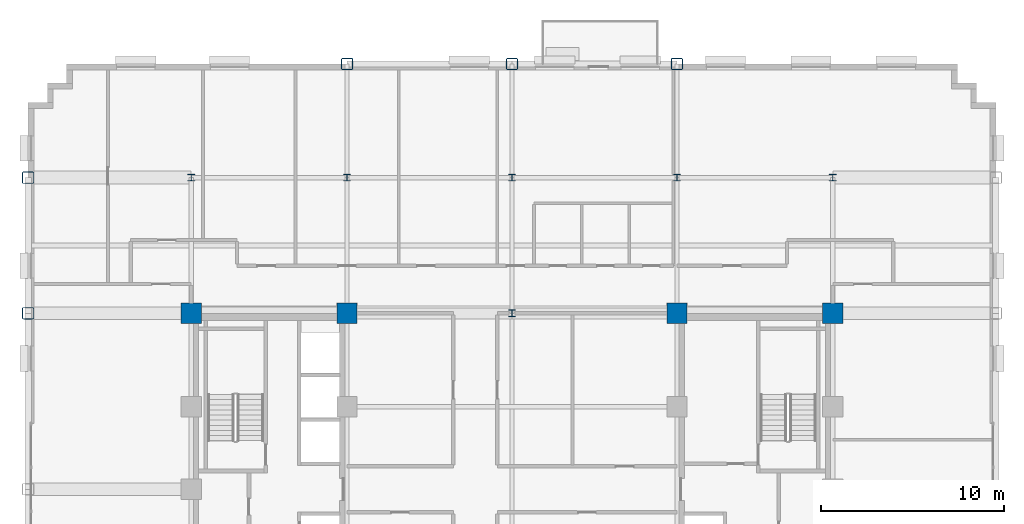
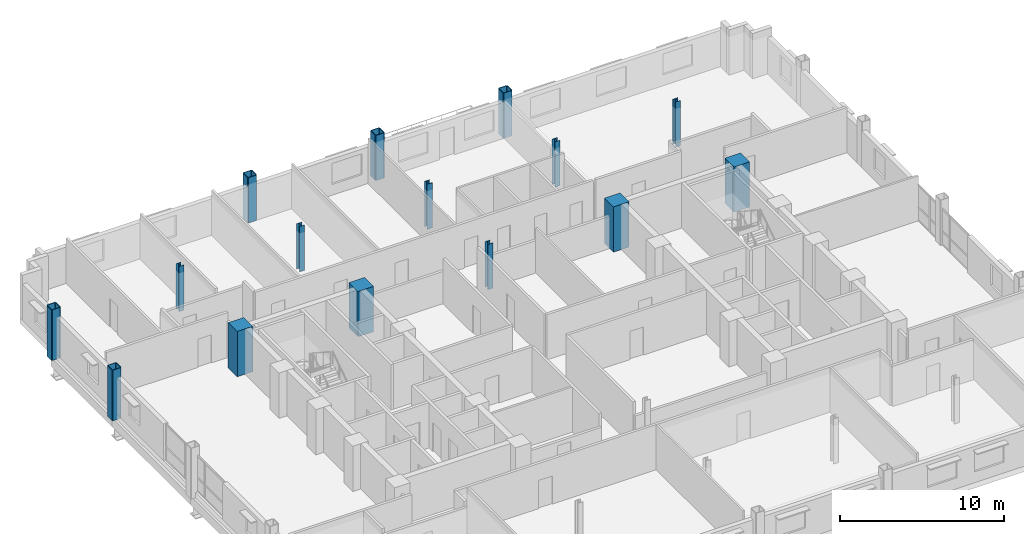
# One storey, part 3 of 16: 15 columns.
"""IFC4 building model written with IfcOpenShell, lengths in metres."""

from ifc_helpers import new_model, si_unit, direction, frame, origin, origin_2d, place, context, subcontext, project, spatial, rectangle, hollow_rectangle, i_section, extrude, material, material_profile, profile_set, type_object, element, save


model = new_model("IFC4")

# Units and contexts
model_context = context("Model", 3, precision=1e-05, world=origin(), true_north=direction((0.0, 1.0)))
body_context = subcontext(model_context, "Body", "Model", "MODEL_VIEW")
ifc_project = project(units=[si_unit("LENGTHUNIT", "METRE"), si_unit("AREAUNIT", "SQUARE_METRE"), si_unit("VOLUMEUNIT", "CUBIC_METRE"), si_unit("PLANEANGLEUNIT", "RADIAN"), si_unit("MASSUNIT", "GRAM", prefix="KILO")], contexts=[model_context])

# Site, building, storey
site_placement = place(None, origin())
site = spatial("IfcSite", under=ifc_project, at=site_placement, CompositionType="ELEMENT")
building_placement = place(site_placement, origin())
building = spatial("IfcBuilding", under=site, at=building_placement, Name="Nuvemarco Arch Tower", CompositionType="ELEMENT")
storey_placement = place(building_placement, frame((0.0, 0.0, 116.550048828125)))
storey = spatial("IfcBuildingStorey", under=building, at=storey_placement, Name="L30", CompositionType="ELEMENT", Elevation=116.550048828125)

# Columns
ifc_material_1 = material(Name="Concrete C60/75", Category="concrete")
ifc_material_profile_1 = material_profile(ifc_material_1, rectangle(XDim=1.10009765625, YDim=1.10009765625, at=origin_2d()), Name="RC-COL-1100x1100")
ifc_profile_set_1 = profile_set([ifc_material_profile_1], Name="Concrete C60/75")
column_type_1 = type_object("IfcColumnType", Name="COL-CORE-1100", PredefinedType="COLUMN", material=ifc_profile_set_1)
for number, where, z_axis, x_axis, name in (
    (1, (-17.5, 9.60009765625, 0.0), (0.0, 0.0, 1.0), (1.0, 0.0, 0.0), "L30 column CC_-17.5_+9.6"),
    (2, (-9.0, 9.60009765625, 0.0), (0.0, 0.0, 1.0), (1.0, 0.0, 0.0), "L30 column CC_-9.0_+9.6"),
    (3, (9.0, 9.60009765625, 0.0), (0.0, 0.0, 1.0), (1.0, 0.0, 0.0), "L30 column CC_+9.0_+9.6"),
    (4, (17.5, 9.60009765625, 0.0), (0.0, 0.0, 1.0), (1.0, 0.0, 0.0), "L30 column CC_+17.5_+9.6"),
):
    element("IfcColumn", number, at=place(storey_placement, frame(where, z_axis=z_axis, x_axis=x_axis)), inside=storey, type_object=column_type_1, Name=name, PredefinedType="COLUMN", context=body_context, shape_type="SweptSolid", body=[
        extrude(rectangle(XDim=1.10009765625, YDim=1.10009765625, at=origin_2d()), origin(), (0.0, 0.0, 1.0), 3.369873046875),
    ])
ifc_material_2 = material(Name="Steel S355", Category="steel")
ifc_material_profile_2 = material_profile(ifc_material_2, hollow_rectangle(XDim=0.64990234375, YDim=0.64990234375, WallThickness=0.0400390625, InnerFilletRadius=0.0400390625, OuterFilletRadius=0.080078125, at=origin_2d()), Name="SHS650x650x40")
ifc_profile_set_2 = profile_set([ifc_material_profile_2], Name="Steel S355")
column_type_2 = type_object("IfcColumnType", Name="COL-EXO-650", PredefinedType="COLUMN", material=ifc_profile_set_2)
for number, where, z_axis, x_axis, name in (
    (5, (-26.39990234375, 9.60009765625, -0.400146484375), (0.0, 0.0, 1.0), (1.0, 0.0, 0.0), "L30 column CX_-26.4_+9.6"),
    (6, (-26.39990234375, 17.0, -0.400146484375), (0.0, 0.0, 1.0), (1.0, 0.0, 0.0), "L30 column CX_-26.4_+17.0"),
):
    element("IfcColumn", number, at=place(storey_placement, frame(where, z_axis=z_axis, x_axis=x_axis)), inside=storey, type_object=column_type_2, Name=name, PredefinedType="COLUMN", context=body_context, shape_type="SweptSolid", body=[
        extrude(hollow_rectangle(XDim=0.64990234375, YDim=0.64990234375, WallThickness=0.0400390625, InnerFilletRadius=0.0400390625, OuterFilletRadius=0.080078125, at=origin_2d()), origin(), (0.0, 0.0, 1.0), 3.77001953125),
    ])
for number, where, z_axis, x_axis, name in (
    (7, (-9.0, 23.199951171875, 0.0), (0.0, 0.0, 1.0), (1.0, 0.0, 0.0), "L30 column CY_-9.0_+23.2"),
    (8, (0.0, 23.199951171875, 0.0), (0.0, 0.0, 1.0), (1.0, 0.0, 0.0), "L30 column CY_+0.0_+23.2"),
    (9, (9.0, 23.199951171875, 0.0), (0.0, 0.0, 1.0), (1.0, 0.0, 0.0), "L30 column CY_+9.0_+23.2"),
):
    element("IfcColumn", number, at=place(storey_placement, frame(where, z_axis=z_axis, x_axis=x_axis)), inside=storey, type_object=column_type_2, Name=name, PredefinedType="COLUMN", context=body_context, shape_type="SweptSolid", body=[
        extrude(hollow_rectangle(XDim=0.64990234375, YDim=0.64990234375, WallThickness=0.0400390625, InnerFilletRadius=0.0400390625, OuterFilletRadius=0.080078125, at=origin_2d()), origin(), (0.0, 0.0, 1.0), 3.369873046875),
    ])
ifc_material_profile_3 = material_profile(ifc_material_2, i_section(OverallWidth=0.360107421875, OverallDepth=0.360107421875, WebThickness=0.0205078125, FlangeThickness=0.0205078125, FilletRadius=0.01806640625, at=origin_2d()), Name="HP360x174")
ifc_profile_set_3 = profile_set([ifc_material_profile_3], Name="Steel S355")
column_type_3 = type_object("IfcColumnType", Name="COL-STL-HP360", PredefinedType="COLUMN", material=ifc_profile_set_3)
for number, where, z_axis, x_axis, name in (
    (10, (0.0, 9.60009765625, 0.0), (0.0, 0.0, 1.0), (1.0, 0.0, 0.0), "L30 column CI_+0.0_+9.6"),
    (11, (0.0, 17.0, 0.0), (0.0, 0.0, 1.0), (1.0, 0.0, 0.0), "L30 column CI_+0.0_+17.0"),
    (12, (-17.5, 17.0, 0.0), (0.0, 0.0, 1.0), (1.0, 0.0, 0.0), "L30 column CI_-17.5_+17.0"),
    (13, (-9.0, 17.0, 0.0), (0.0, 0.0, 1.0), (1.0, 0.0, 0.0), "L30 column CI_-9.0_+17.0"),
    (14, (9.0, 17.0, 0.0), (0.0, 0.0, 1.0), (1.0, 0.0, 0.0), "L30 column CI_+9.0_+17.0"),
    (15, (17.5, 17.0, 0.0), (0.0, 0.0, 1.0), (1.0, 0.0, 0.0), "L30 column CI_+17.5_+17.0"),
):
    element("IfcColumn", number, at=place(storey_placement, frame(where, z_axis=z_axis, x_axis=x_axis)), inside=storey, type_object=column_type_3, Name=name, PredefinedType="COLUMN", context=body_context, shape_type="SweptSolid", body=[
        extrude(i_section(OverallWidth=0.360107421875, OverallDepth=0.360107421875, WebThickness=0.0205078125, FlangeThickness=0.0205078125, FilletRadius=0.01806640625, at=origin_2d()), origin(), (0.0, 0.0, 1.0), 3.369873046875),
    ])

save(model, "model.ifc")
